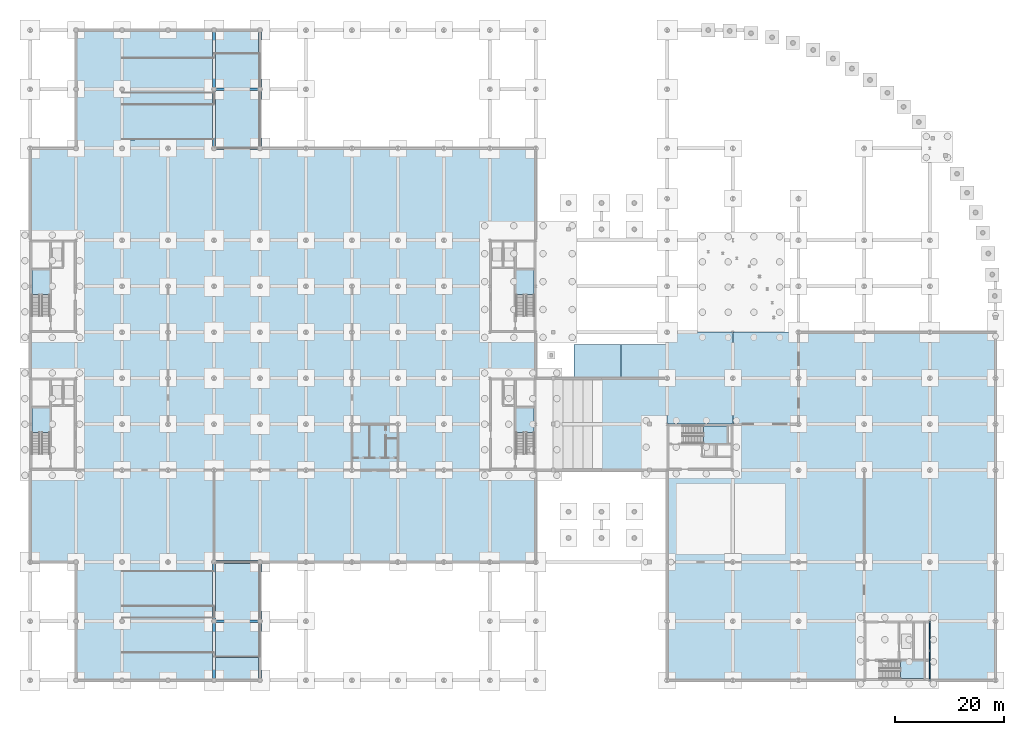
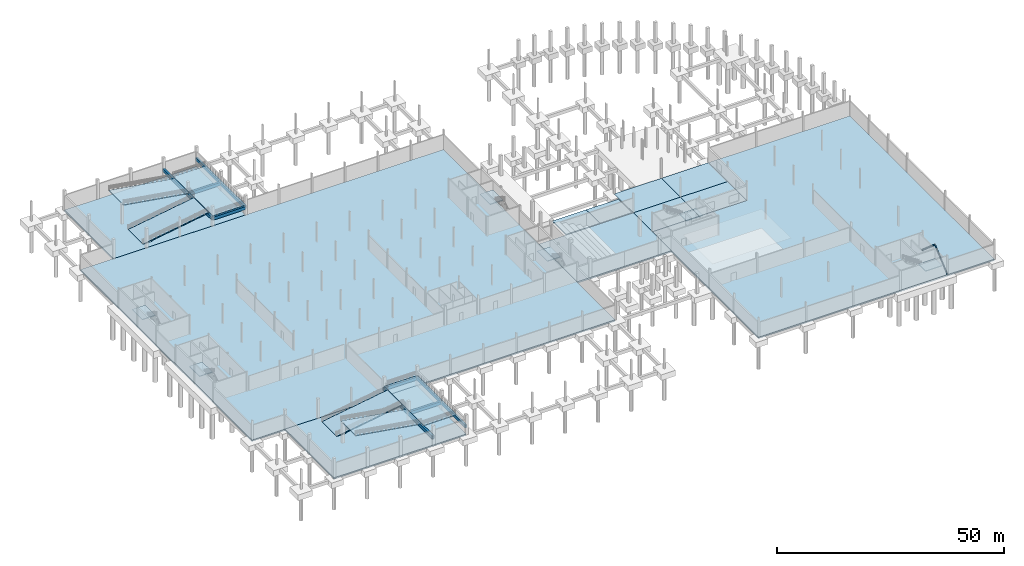
# One storey, part 21 of 36: 23 slabs, 12 beams, 2 members, 6 elements without a shape of their own.
"""IFC4 building model written with IfcOpenShell, lengths in metres."""

from ifc_helpers import new_model, si_unit, direction, frame, origin, origin_2d, place, context, subcontext, project, spatial, polyline, rectangle, hollow_circle, outline, extrude, material, layer, layer_set, material_profile, profile_set, type_object, element, aggregate, save


model = new_model("IFC4")

# Units and contexts
model_context = context("Model", 3, precision=1e-05, world=origin(), true_north=direction((0.0, 1.0)))
body_context = subcontext(model_context, "Body", "Model", "MODEL_VIEW")
ifc_project = project(units=[si_unit("LENGTHUNIT", "METRE"), si_unit("AREAUNIT", "SQUARE_METRE"), si_unit("VOLUMEUNIT", "CUBIC_METRE"), si_unit("PLANEANGLEUNIT", "RADIAN"), si_unit("MASSUNIT", "GRAM", prefix="KILO"), si_unit("THERMODYNAMICTEMPERATUREUNIT", "KELVIN"), si_unit("POWERUNIT", "WATT")], contexts=[model_context])

# Site, building, storey
site_placement = place(None, origin())
site = spatial("IfcSite", under=ifc_project, at=site_placement, CompositionType="ELEMENT")
building_placement = place(site_placement, origin())
building = spatial("IfcBuilding", under=site, at=building_placement, Name="Tembeka Court Mobility Hub", CompositionType="ELEMENT")
storey_placement = place(building_placement, frame((0.0, 0.0, -5.39990234375)))
storey = spatial("IfcBuildingStorey", under=building, at=storey_placement, Name="B1", CompositionType="ELEMENT", Elevation=-5.39990234375)

# Beams
ifc_material_1 = material(Name="Concrete C40/50", Category="concrete")
ifc_material_profile_1 = material_profile(ifc_material_1, rectangle(XDim=0.5, YDim=0.800048828125, at=origin_2d()), Name="RC-BM 500x800")
ifc_profile_set_1 = profile_set([ifc_material_profile_1], Name="Concrete C40/50")
beam_type = type_object("IfcBeamType", Name="BM-B05", PredefinedType="BEAM", material=ifc_profile_set_1)
for number, where, z_axis, x_axis, name in (
    (1, (33.695068359375, 97.199951171875, 2.0498046875), (1.0, 0.0, 0.0), (0.0, 1.0, 0.0), "Car park vehicle ramp North R1 B1 half-landing tie beam EX1"),
    (2, (33.695068359375, 108.0, 2.0498046875), (1.0, 0.0, 0.0), (0.0, 1.0, 0.0), "Car park vehicle ramp North R1 B1 half-landing tie beam EX2"),
):
    element("IfcBeam", number, at=place(storey_placement, frame(where, z_axis=z_axis, x_axis=x_axis)), inside=storey, type_object=beam_type, Name=name, PredefinedType="BEAM", context=body_context, shape_type="SweptSolid", body=[
        extrude(rectangle(XDim=0.5, YDim=0.800048828125, at=origin_2d()), origin(), (0.0, 0.0, 1.0), 8.2099609375),
    ])
for number, where, z_axis, x_axis, name in (
    (3, (33.60009765625, 97.199951171875, 2.0498046875), (0.0, 1.0, 0.0), (-1.0, 0.0, 0.0), "Car park vehicle ramp North R1 B1 half-landing beam EM1"),
    (4, (33.60009765625, 108.0, 2.0498046875), (0.0, 1.0, 0.0), (-1.0, 0.0, 0.0), "Car park vehicle ramp North R1 B1 half-landing beam EM2"),
    (5, (42.0, 97.199951171875, 2.0498046875), (0.0, 1.0, 0.0), (-1.0, 0.0, 0.0), "Car park vehicle ramp North R1 B1 half-landing beam EE1"),
    (6, (42.0, 108.0, 2.0498046875), (0.0, 1.0, 0.0), (-1.0, 0.0, 0.0), "Car park vehicle ramp North R1 B1 half-landing beam EE2"),
):
    element("IfcBeam", number, at=place(storey_placement, frame(where, z_axis=z_axis, x_axis=x_axis)), inside=storey, type_object=beam_type, Name=name, PredefinedType="BEAM", context=body_context, shape_type="SweptSolid", body=[
        extrude(rectangle(XDim=0.5, YDim=0.800048828125, at=origin_2d()), origin(), (0.0, 0.0, 1.0), 10.800048828125),
    ])
for number, where, z_axis, x_axis, name in (
    (7, (33.695068359375, 10.800048828125, 2.0498046875), (1.0, 0.0, 0.0), (0.0, 1.0, 0.0), "Car park vehicle ramp South R2 B1 half-landing tie beam EX2"),
    (8, (33.695068359375, 21.60009765625, 2.0498046875), (1.0, 0.0, 0.0), (0.0, 1.0, 0.0), "Car park vehicle ramp South R2 B1 half-landing tie beam EX3"),
):
    element("IfcBeam", number, at=place(storey_placement, frame(where, z_axis=z_axis, x_axis=x_axis)), inside=storey, type_object=beam_type, Name=name, PredefinedType="BEAM", context=body_context, shape_type="SweptSolid", body=[
        extrude(rectangle(XDim=0.5, YDim=0.800048828125, at=origin_2d()), origin(), (0.0, 0.0, 1.0), 8.2099609375),
    ])
for number, where, z_axis, x_axis, name in (
    (9, (33.60009765625, 0.0, 2.0498046875), (0.0, 1.0, 0.0), (-1.0, 0.0, 0.0), "Car park vehicle ramp South R2 B1 half-landing beam EM1"),
    (10, (33.60009765625, 10.800048828125, 2.0498046875), (0.0, 1.0, 0.0), (-1.0, 0.0, 0.0), "Car park vehicle ramp South R2 B1 half-landing beam EM2"),
    (11, (42.0, 0.0, 2.0498046875), (0.0, 1.0, 0.0), (-1.0, 0.0, 0.0), "Car park vehicle ramp South R2 B1 half-landing beam EE1"),
    (12, (42.0, 10.800048828125, 2.0498046875), (0.0, 1.0, 0.0), (-1.0, 0.0, 0.0), "Car park vehicle ramp South R2 B1 half-landing beam EE2"),
):
    element("IfcBeam", number, at=place(storey_placement, frame(where, z_axis=z_axis, x_axis=x_axis)), inside=storey, type_object=beam_type, Name=name, PredefinedType="BEAM", context=body_context, shape_type="SweptSolid", body=[
        extrude(rectangle(XDim=0.5, YDim=0.800048828125, at=origin_2d()), origin(), (0.0, 0.0, 1.0), 10.800048828125),
    ])

# Members
ifc_material_2 = material(Name="Steel S355", Category="steel")
ifc_material_profile_2 = material_profile(ifc_material_2, hollow_circle(Radius=0.109619140625, WallThickness=0.010009765625, at=origin_2d()), Name="CHS 219.1x10")
ifc_profile_set_2 = profile_set([ifc_material_profile_2], Name="Steel S355")
member_type = type_object("IfcMemberType", Name="MEM-BR01", PredefinedType="BRACE", material=ifc_profile_set_2)
member_1_placement = place(storey_placement, frame((164.39990234375, 0.0, 0.14990234375), z_axis=(0.0, 0.75430221739, 0.656527352698), x_axis=(-1.0, 0.0, 0.0)))
element("IfcMember", 13, at=member_1_placement, inside=storey, type_object=member_type, Name="Steel chevron brace BR01 (B1-13A)", PredefinedType="BRACE", context=body_context, shape_type="SweptSolid", body=[
    extrude(hollow_circle(Radius=0.109619140625, WallThickness=0.010009765625, at=origin_2d()), origin(), (0.0, 0.0, 1.0), 7.15869140625),
])
member_2_placement = place(storey_placement, frame((164.39990234375, 10.800048828125, 0.14990234375), z_axis=(0.0, -0.754316916411, 0.656510464209), x_axis=(1.0, 0.0, 0.0)))
element("IfcMember", 14, at=member_2_placement, inside=storey, type_object=member_type, Name="Steel chevron brace BR01 (B1-13B)", PredefinedType="BRACE", context=body_context, shape_type="SweptSolid", body=[
    extrude(hollow_circle(Radius=0.109619140625, WallThickness=0.010009765625, at=origin_2d()), origin(), (0.0, 0.0, 1.0), 7.158935546875),
])

# Slabs
ifc_layer_1 = layer(ifc_material_1, 0.419921875)
ifc_layer_set_1 = layer_set([ifc_layer_1], Name="Concrete C40/50")
slab_type_1 = type_object("IfcSlabType", Name="SL-BS01", PredefinedType="BASESLAB", material=ifc_layer_set_1)
slab_1_placement = place(storey_placement, frame((0.0, 0.0, -0.420166015625)))
element("IfcSlab", 15, at=slab_1_placement, inside=storey, type_object=slab_type_1, Name="Basement B1 South vehicle ramp drum base slab", PredefinedType="BASESLAB", context=body_context, shape_type="SweptSolid", body=[
    extrude(outline(polyline([(8.39990234375, 0.0), (42.0, 0.0), (42.0, 21.60009765625), (8.39990234375, 21.60009765625), (8.39990234375, 0.0)]), holes=[polyline([(16.820068359375, 20.050048828125), (19.199951171875, 20.050048828125), (19.199951171875, 13.449951171875), (16.820068359375, 13.449951171875), (16.820068359375, 20.050048828125)])]), origin(), (0.0, 0.0, 1.0), 0.420166015625),
])
slab_2_placement = place(storey_placement, frame((0.0, 0.0, -0.420166015625)))
element("IfcSlab", 16, at=slab_2_placement, inside=storey, type_object=slab_type_1, Name="Basement B1 West park-and-ride and plant base slab", PredefinedType="BASESLAB", context=body_context, shape_type="SweptSolid", body=[
    extrude(outline(polyline([(0.0, 21.60009765625), (92.39990234375, 21.60009765625), (92.39990234375, 97.199951171875), (0.0, 97.199951171875), (0.0, 21.60009765625)])), origin(), (0.0, 0.0, 1.0), 0.420166015625),
])
slab_3_placement = place(storey_placement, frame((0.0, 0.0, -0.420166015625)))
element("IfcSlab", 17, at=slab_3_placement, inside=storey, type_object=slab_type_1, Name="Basement B1 North vehicle ramp drum base slab", PredefinedType="BASESLAB", context=body_context, shape_type="SweptSolid", body=[
    extrude(outline(polyline([(8.39990234375, 97.199951171875), (42.0, 97.199951171875), (42.0, 118.800048828125), (8.39990234375, 118.800048828125), (8.39990234375, 97.199951171875)]), holes=[polyline([(16.820068359375, 105.35009765625), (19.199951171875, 105.35009765625), (19.199951171875, 98.75), (16.820068359375, 98.75), (16.820068359375, 105.35009765625)])]), origin(), (0.0, 0.0, 1.0), 0.420166015625),
])
slab_4_placement = place(storey_placement, frame((0.0, 0.0, -0.420166015625)))
element("IfcSlab", 18, at=slab_4_placement, inside=storey, type_object=slab_type_1, Name="Basement B1 metro passage and sunken forecourt base slab", PredefinedType="BASESLAB", context=body_context, shape_type="SweptSolid", body=[
    extrude(outline(polyline([(92.39990234375, 38.39990234375), (116.39990234375, 38.39990234375), (116.39990234375, 55.199951171875), (92.39990234375, 55.199951171875), (92.39990234375, 38.39990234375)])), origin(), (0.0, 0.0, 1.0), 0.420166015625),
])
slab_5_placement = place(storey_placement, frame((0.0, 0.0, -0.420166015625)))
element("IfcSlab", 19, at=slab_5_placement, inside=storey, type_object=slab_type_1, Name="Basement B1 metro concourse and cycle vault base slab", PredefinedType="BASESLAB", context=body_context, shape_type="SweptSolid", body=[
    extrude(outline(polyline([(116.39990234375, 0.0), (176.39990234375, 0.0), (176.39990234375, 63.60009765625), (140.39990234375, 63.60009765625), (140.39990234375, 46.800048828125), (116.39990234375, 46.800048828125), (116.39990234375, 0.0)])), origin(), (0.0, 0.0, 1.0), 0.420166015625),
])
ifc_layer_2 = layer(ifc_material_1, 0.199951171875)
ifc_layer_set_2 = layer_set([ifc_layer_2], Name="Concrete C40/50")
slab_type_2 = type_object("IfcSlabType", Name="SL-LD01", PredefinedType="LANDING", material=ifc_layer_set_2)
slab_6_placement = place(storey_placement, frame((0.0, 0.0, 2.449951171875)))
element("IfcSlab", 20, at=slab_6_placement, inside=storey, type_object=slab_type_2, Name="Car park vehicle ramp North R1 B1 half landing", PredefinedType="LANDING", context=body_context, shape_type="SweptSolid", body=[
    extrude(outline(polyline([(33.60009765625, 97.199951171875), (42.0, 97.199951171875), (42.0, 114.60009765625), (33.60009765625, 114.60009765625), (33.60009765625, 97.199951171875)])), origin(), (0.0, 0.0, 1.0), 0.25),
])
slab_7_placement = place(storey_placement, frame((0.0, 0.0, 2.449951171875)))
element("IfcSlab", 21, at=slab_7_placement, inside=storey, type_object=slab_type_2, Name="Car park vehicle ramp South R2 B1 half landing", PredefinedType="LANDING", context=body_context, shape_type="SweptSolid", body=[
    extrude(outline(polyline([(33.60009765625, 4.199951171875), (42.0, 4.199951171875), (42.0, 21.60009765625), (33.60009765625, 21.60009765625), (33.60009765625, 4.199951171875)])), origin(), (0.0, 0.0, 1.0), 0.25),
])

# Stair, slab
stair_type_1 = type_object("IfcStairType", Name="STR-ST01B1", PredefinedType="HALF_TURN_STAIR", material=ifc_material_1)
stair_1_placement = place(storey_placement, origin())
stair_1 = element("IfcStair", 22, at=stair_1_placement, inside=storey, type_object=stair_type_1, Name="Protected exit stair ST01 (B1)", PredefinedType="HALF_TURN_STAIR")
slab_8_placement = place(storey_placement, frame((0.0, 0.0, 2.5)))
slab_8 = element("IfcSlab", 23, at=slab_8_placement, type_object=slab_type_2, Name="ST01B1 landing 1", PredefinedType="LANDING", context=body_context, shape_type="SweptSolid", body=[
    extrude(outline(polyline([(3.60009765625, 45.27001953125), (3.60009765625, 49.75), (0.300048828125, 49.75), (0.300048828125, 45.27001953125), (3.60009765625, 45.27001953125)])), origin(), (0.0, 0.0, 1.0), 0.199951171875),
])
aggregate(stair_1, [slab_8])

stair_type_2 = type_object("IfcStairType", Name="STR-ST02B1", PredefinedType="HALF_TURN_STAIR", material=ifc_material_1)
stair_2_placement = place(storey_placement, origin())
stair_2 = element("IfcStair", 24, at=stair_2_placement, inside=storey, type_object=stair_type_2, Name="Protected exit stair ST02 (B1)", PredefinedType="HALF_TURN_STAIR")
slab_9_placement = place(storey_placement, frame((0.0, 0.0, 2.5)))
slab_9 = element("IfcSlab", 25, at=slab_9_placement, type_object=slab_type_2, Name="ST02B1 landing 1", PredefinedType="LANDING", context=body_context, shape_type="SweptSolid", body=[
    extrude(outline(polyline([(92.10009765625, 70.469970703125), (92.10009765625, 74.949951171875), (88.800048828125, 74.949951171875), (88.800048828125, 70.469970703125), (92.10009765625, 70.469970703125)])), origin(), (0.0, 0.0, 1.0), 0.199951171875),
])
aggregate(stair_2, [slab_9])

stair_type_3 = type_object("IfcStairType", Name="STR-ST03B1", PredefinedType="HALF_TURN_STAIR", material=ifc_material_1)
stair_3_placement = place(storey_placement, origin())
stair_3 = element("IfcStair", 26, at=stair_3_placement, inside=storey, type_object=stair_type_3, Name="Protected exit stair ST03 (B1)", PredefinedType="HALF_TURN_STAIR")
slab_10_placement = place(storey_placement, frame((0.0, 0.0, 2.5)))
slab_10 = element("IfcSlab", 27, at=slab_10_placement, type_object=slab_type_2, Name="ST03B1 landing 1", PredefinedType="LANDING", context=body_context, shape_type="SweptSolid", body=[
    extrude(outline(polyline([(3.60009765625, 70.469970703125), (3.60009765625, 74.949951171875), (0.300048828125, 74.949951171875), (0.300048828125, 70.469970703125), (3.60009765625, 70.469970703125)])), origin(), (0.0, 0.0, 1.0), 0.199951171875),
])
aggregate(stair_3, [slab_10])

stair_type_4 = type_object("IfcStairType", Name="STR-ST04B1", PredefinedType="HALF_TURN_STAIR", material=ifc_material_1)
stair_4_placement = place(storey_placement, origin())
stair_4 = element("IfcStair", 28, at=stair_4_placement, inside=storey, type_object=stair_type_4, Name="Protected exit stair ST04 (B1)", PredefinedType="HALF_TURN_STAIR")
slab_11_placement = place(storey_placement, frame((0.0, 0.0, 2.5)))
slab_11 = element("IfcSlab", 29, at=slab_11_placement, type_object=slab_type_2, Name="ST04B1 landing 1", PredefinedType="LANDING", context=body_context, shape_type="SweptSolid", body=[
    extrude(outline(polyline([(92.10009765625, 45.27001953125), (92.10009765625, 49.75), (88.800048828125, 49.75), (88.800048828125, 45.27001953125), (92.10009765625, 45.27001953125)])), origin(), (0.0, 0.0, 1.0), 0.199951171875),
])
aggregate(stair_4, [slab_11])

stair_type_5 = type_object("IfcStairType", Name="STR-ST05B1", PredefinedType="HALF_TURN_STAIR", material=ifc_material_1)
stair_5_placement = place(storey_placement, origin())
stair_5 = element("IfcStair", 30, at=stair_5_placement, inside=storey, type_object=stair_type_5, Name="Protected exit stair ST05 (B1)", PredefinedType="HALF_TURN_STAIR")
slab_12_placement = place(storey_placement, frame((0.0, 0.0, 2.5)))
slab_12 = element("IfcSlab", 31, at=slab_12_placement, type_object=slab_type_2, Name="ST05B1 landing 1", PredefinedType="LANDING", context=body_context, shape_type="SweptSolid", body=[
    extrude(outline(polyline([(123.070068359375, 43.300048828125), (127.300048828125, 43.300048828125), (127.300048828125, 46.5), (123.070068359375, 46.5), (123.070068359375, 43.300048828125)])), origin(), (0.0, 0.0, 1.0), 0.199951171875),
])
aggregate(stair_5, [slab_12])

stair_type_6 = type_object("IfcStairType", Name="STR-ST06B1", PredefinedType="HALF_TURN_STAIR", material=ifc_material_1)
stair_6_placement = place(storey_placement, origin())
stair_6 = element("IfcStair", 32, at=stair_6_placement, inside=storey, type_object=stair_type_6, Name="Protected exit stair ST06 (B1)", PredefinedType="HALF_TURN_STAIR")
slab_13_placement = place(storey_placement, frame((0.0, 0.0, 2.5)))
slab_13 = element("IfcSlab", 33, at=slab_13_placement, type_object=slab_type_2, Name="ST06B1 landing 1", PredefinedType="LANDING", context=body_context, shape_type="SweptSolid", body=[
    extrude(outline(polyline([(159.070068359375, 0.300048828125), (163.300048828125, 0.300048828125), (163.300048828125, 3.5), (159.070068359375, 3.5), (159.070068359375, 0.300048828125)])), origin(), (0.0, 0.0, 1.0), 0.199951171875),
])
aggregate(stair_6, [slab_13])

# Slabs
ifc_layer_3 = layer(ifc_material_1, 0.169921875)
ifc_layer_set_3 = layer_set([ifc_layer_3], Name="Concrete C40/50")
slab_type_3 = type_object("IfcSlabType", Name="SL-PV01", PredefinedType="USERDEFINED", material=ifc_layer_set_3)
slab_14_placement = place(storey_placement, frame((0.0, 0.0, -0.170166015625)))
element("IfcSlab", 34, at=slab_14_placement, inside=storey, type_object=slab_type_3, Name="Sunken metro forecourt west terrace paving", ObjectType="PAVING", PredefinedType="USERDEFINED", context=body_context, shape_type="SweptSolid", body=[
    extrude(outline(polyline([(116.39990234375, 46.800048828125), (128.39990234375, 46.800048828125), (128.39990234375, 55.199951171875), (116.39990234375, 55.199951171875), (116.39990234375, 46.800048828125)])), origin(), (0.0, 0.0, 1.0), 0.170166015625),
])
slab_15_placement = place(storey_placement, frame((0.0, 0.0, -0.170166015625)))
element("IfcSlab", 35, at=slab_15_placement, inside=storey, type_object=slab_type_3, Name="Sunken metro forecourt east terrace paving", ObjectType="PAVING", PredefinedType="USERDEFINED", context=body_context, shape_type="SweptSolid", body=[
    extrude(outline(polyline([(128.39990234375, 46.800048828125), (140.39990234375, 46.800048828125), (140.39990234375, 55.199951171875), (128.39990234375, 55.199951171875), (128.39990234375, 46.800048828125)])), origin(), (0.0, 0.0, 1.0), 0.170166015625),
])
slab_16_placement = place(storey_placement, frame((0.0, 0.0, -0.170166015625)))
element("IfcSlab", 36, at=slab_16_placement, inside=storey, type_object=slab_type_3, Name="Sunken metro forecourt north-west plaza paving", ObjectType="PAVING", PredefinedType="USERDEFINED", context=body_context, shape_type="SweptSolid", body=[
    extrude(outline(polyline([(116.39990234375, 55.199951171875), (128.39990234375, 55.199951171875), (128.39990234375, 63.60009765625), (116.39990234375, 63.60009765625), (116.39990234375, 55.199951171875)])), origin(), (0.0, 0.0, 1.0), 0.170166015625),
])
slab_17_placement = place(storey_placement, frame((0.0, 0.0, -0.170166015625)))
element("IfcSlab", 37, at=slab_17_placement, inside=storey, type_object=slab_type_3, Name="Sunken metro forecourt north-east plaza paving", ObjectType="PAVING", PredefinedType="USERDEFINED", context=body_context, shape_type="SweptSolid", body=[
    extrude(outline(polyline([(128.39990234375, 55.199951171875), (140.39990234375, 55.199951171875), (140.39990234375, 63.60009765625), (128.39990234375, 63.60009765625), (128.39990234375, 55.199951171875)])), origin(), (0.0, 0.0, 1.0), 0.170166015625),
])
slab_18_placement = place(storey_placement, frame((0.0, 0.0, -0.170166015625)))
element("IfcSlab", 38, at=slab_18_placement, inside=storey, type_object=slab_type_3, Name="Sunken metro forecourt north-west court paving", ObjectType="PAVING", PredefinedType="USERDEFINED", context=body_context, shape_type="SweptSolid", body=[
    extrude(outline(polyline([(99.39990234375, 55.39990234375), (108.0, 55.39990234375), (108.0, 61.39990234375), (99.39990234375, 61.39990234375), (99.39990234375, 55.39990234375)])), origin(), (0.0, 0.0, 1.0), 0.170166015625),
])
slab_19_placement = place(storey_placement, frame((0.0, 0.0, -0.170166015625)))
element("IfcSlab", 39, at=slab_19_placement, inside=storey, type_object=slab_type_3, Name="Sunken metro forecourt north-east court paving", ObjectType="PAVING", PredefinedType="USERDEFINED", context=body_context, shape_type="SweptSolid", body=[
    extrude(outline(polyline([(108.0, 55.39990234375), (116.199951171875, 55.39990234375), (116.199951171875, 61.39990234375), (108.0, 61.39990234375), (108.0, 55.39990234375)])), origin(), (0.0, 0.0, 1.0), 0.170166015625),
])
ifc_layer_4 = layer(ifc_material_1, 0.235107421875)
ifc_layer_set_4 = layer_set([ifc_layer_4], Name="Concrete C40/50")
slab_type_4 = type_object("IfcSlabType", Name="SL-RP01", PredefinedType="FLOOR", material=ifc_layer_set_4)
slab_20_placement = place(storey_placement, frame((16.840087890625, 98.800048828125, 0.0), z_axis=(-0.159415532957, 0.0, 0.98721157198), x_axis=(0.98721157198, 0.0, 0.159415532957)))
element("IfcSlab", 40, at=slab_20_placement, inside=storey, type_object=slab_type_4, Name="Car park vehicle ramp North R1 B1 structural ramp slab 1", PredefinedType="FLOOR", context=body_context, shape_type="SweptSolid", body=[
    extrude(outline(polyline([(0.0, 0.0), (16.936562716320793, 0.0), (16.936562716320793, 6.5), (0.0, 6.5), (0.0, 0.0)])), origin(), (0.0, 0.0, -1.0), 0.235107421875),
])
slab_21_placement = place(storey_placement, frame((33.56005859375, 107.300048828125, 2.699951171875), z_axis=(0.159415532957, 0.0, 0.98721157198), x_axis=(-0.98721157198, 0.0, 0.159415532957)))
element("IfcSlab", 41, at=slab_21_placement, inside=storey, type_object=slab_type_4, Name="Car park vehicle ramp North R1 B1 structural ramp slab 2", PredefinedType="FLOOR", context=body_context, shape_type="SweptSolid", body=[
    extrude(outline(polyline([(0.0, 0.0), (16.936562716320793, 0.0), (16.936562716320793, -6.5), (0.0, -6.5), (0.0, 0.0)])), origin(), (0.0, 0.0, -1.0), 0.235107421875),
])
slab_22_placement = place(storey_placement, frame((16.840087890625, 13.5, 0.0), z_axis=(-0.159415532957, 0.0, 0.98721157198), x_axis=(0.98721157198, 0.0, 0.159415532957)))
element("IfcSlab", 42, at=slab_22_placement, inside=storey, type_object=slab_type_4, Name="Car park vehicle ramp South R2 B1 structural ramp slab 1", PredefinedType="FLOOR", context=body_context, shape_type="SweptSolid", body=[
    extrude(outline(polyline([(0.0, 0.0), (16.936562716320793, 0.0), (16.936562716320793, 6.5), (0.0, 6.5), (0.0, 0.0)])), origin(), (0.0, 0.0, -1.0), 0.235107421875),
])
slab_23_placement = place(storey_placement, frame((33.56005859375, 5.0, 2.699951171875), z_axis=(0.159415532957, 0.0, 0.98721157198), x_axis=(-0.98721157198, 0.0, 0.159415532957)))
element("IfcSlab", 43, at=slab_23_placement, inside=storey, type_object=slab_type_4, Name="Car park vehicle ramp South R2 B1 structural ramp slab 2", PredefinedType="FLOOR", context=body_context, shape_type="SweptSolid", body=[
    extrude(outline(polyline([(0.0, 0.0), (16.936562716320793, 0.0), (16.936562716320793, -6.5), (0.0, -6.5), (0.0, 0.0)])), origin(), (0.0, 0.0, -1.0), 0.235107421875),
])

save(model, "model.ifc")
